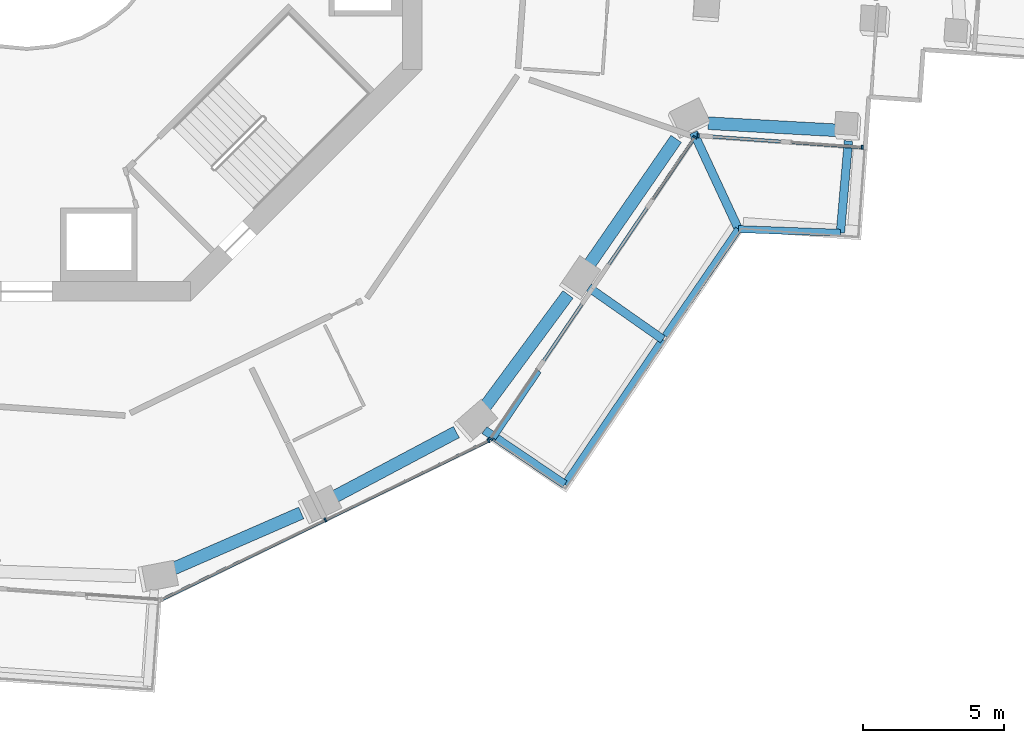
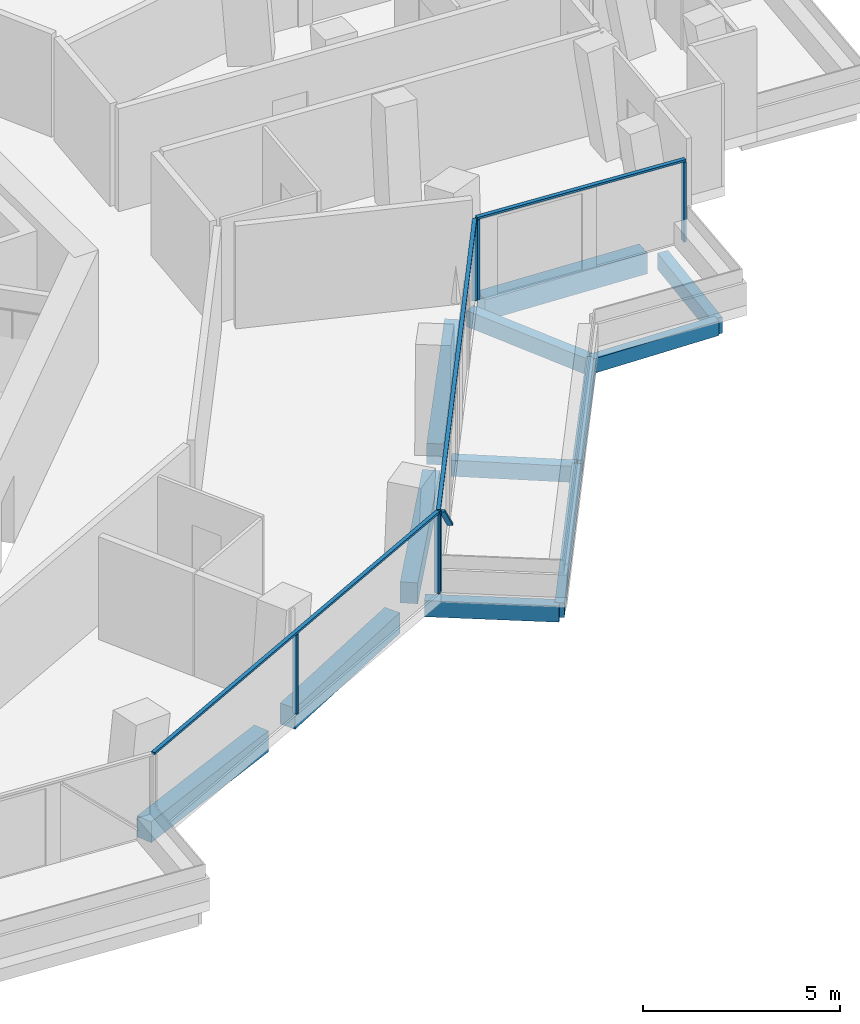
# One storey, part 4 of 22: 12 beams, 10 members, 3 elements without a shape of their own.
"""IFC4 building model written with IfcOpenShell, lengths in metres."""

from ifc_helpers import new_model, si_unit, direction, frame, origin, origin_2d, place, context, subcontext, project, spatial, rectangle, extrude, material, layer, layer_set, material_profile, profile_set, type_object, element, aggregate, save


model = new_model("IFC4")

# Units and contexts
model_context = context("Model", 3, precision=1e-05, world=origin(), true_north=direction((0.0, 1.0)))
body_context = subcontext(model_context, "Body", "Model", "MODEL_VIEW")
ifc_project = project(units=[si_unit("LENGTHUNIT", "METRE"), si_unit("AREAUNIT", "SQUARE_METRE"), si_unit("VOLUMEUNIT", "CUBIC_METRE"), si_unit("PLANEANGLEUNIT", "RADIAN"), si_unit("MASSUNIT", "GRAM", prefix="KILO")], contexts=[model_context])

# Site, building, storey
site_placement = place(None, origin())
site = spatial("IfcSite", under=ifc_project, at=site_placement, CompositionType="ELEMENT")
building_placement = place(site_placement, origin())
building = spatial("IfcBuilding", under=site, at=building_placement, Name="Verdalira Terraces Hotel", CompositionType="ELEMENT")
storey_placement = place(building_placement, frame((0.0, 0.0, 140.0)))
storey = spatial("IfcBuildingStorey", under=building, at=storey_placement, Name="L33", CompositionType="ELEMENT", Elevation=140.0)

# Beams
ifc_material_1 = material(Name="Concrete C40", Category="concrete")
ifc_material_profile_1 = material_profile(ifc_material_1, rectangle(XDim=0.300049, YDim=0.5, at=origin_2d()), Name="RC 300X500")
ifc_profile_set_1 = profile_set([ifc_material_profile_1], Name="Concrete C40")
beam_type_1 = type_object("IfcBeamType", Name="Balcony cantilever beam RC 300X500 C40", PredefinedType="BEAM", material=ifc_profile_set_1)
beam_1_placement = place(storey_placement, frame((16.206543, -18.566162, -0.560059), z_axis=(0.828265933, -0.560335208, 0.0), x_axis=(0.560335208, 0.828265933, 0.0)))
element("IfcBeam", 1, at=beam_1_placement, inside=storey, type_object=beam_type_1, Name="Balcony cantilever beam R27-1", PredefinedType="BEAM", context=body_context, shape_type="SweptSolid", body=[
    extrude(rectangle(XDim=0.300049, YDim=0.5, at=origin_2d()), origin(), (0.0, 0.0, 1.0), 3.431641),
])
beam_2_placement = place(storey_placement, frame((19.902344, -13.516113, -0.560059), z_axis=(0.818722765, -0.574189023, 0.0), x_axis=(0.574189023, 0.818722765, 0.0)))
element("IfcBeam", 2, at=beam_2_placement, inside=storey, type_object=beam_type_1, Name="Balcony cantilever beam R27-2", PredefinedType="BEAM", context=body_context, shape_type="SweptSolid", body=[
    extrude(rectangle(XDim=0.300049, YDim=0.5, at=origin_2d()), origin(), (0.0, 0.0, 1.0), 3.200928),
])
beam_3_placement = place(storey_placement, frame((23.609863, -8.029053, -0.560059), z_axis=(0.421988283, -0.906601285, 0.0), x_axis=(0.906601285, 0.421988283, 0.0)))
element("IfcBeam", 3, at=beam_3_placement, inside=storey, type_object=beam_type_1, Name="Balcony cantilever beam R27-3", PredefinedType="BEAM", context=body_context, shape_type="SweptSolid", body=[
    extrude(rectangle(XDim=0.300049, YDim=0.5, at=origin_2d()), origin(), (0.0, 0.0, 1.0), 3.769775),
])
beam_4_placement = place(storey_placement, frame((29.096436, -8.325684, -0.560059), z_axis=(-0.087832726, -0.996135238, 0.0), x_axis=(0.996135238, -0.087832726, 0.0)))
element("IfcBeam", 4, at=beam_4_placement, inside=storey, type_object=beam_type_1, Name="Balcony cantilever beam R27-4", PredefinedType="BEAM", context=body_context, shape_type="SweptSolid", body=[
    extrude(rectangle(XDim=0.300049, YDim=0.5, at=origin_2d()), origin(), (0.0, 0.0, 1.0), 3.266113),
])
ifc_material_2 = material(Name="Concrete C40", Category="concrete")
ifc_material_profile_2 = material_profile(ifc_material_2, rectangle(XDim=0.25, YDim=0.449951, at=origin_2d()), Name="RC 250X450")
ifc_profile_set_2 = profile_set([ifc_material_profile_2], Name="Concrete C40")
beam_type_2 = type_object("IfcBeamType", Name="Balcony edge beam RC 250X450 C40", PredefinedType="BEAM", material=ifc_profile_set_2)
beam_5_placement = place(storey_placement, frame((19.048828, -20.489014, -0.534912), z_axis=(0.560357836, 0.828250623, 0.0), x_axis=(-0.828250623, 0.560357836, 0.0)))
element("IfcBeam", 5, at=beam_5_placement, inside=storey, type_object=beam_type_2, Name="Balcony edge beam R27-1", PredefinedType="BEAM", context=body_context, shape_type="SweptSolid", body=[
    extrude(rectangle(XDim=0.25, YDim=0.449951, at=origin_2d()), origin(), (0.0, 0.0, 1.0), 6.199707),
])
beam_6_placement = place(storey_placement, frame((22.60791, -15.230225, -0.534912), z_axis=(0.565292481, 0.824890545, 0.0), x_axis=(-0.824890545, 0.565292481, 0.0)))
element("IfcBeam", 6, at=beam_6_placement, inside=storey, type_object=beam_type_2, Name="Balcony edge beam R27-2", PredefinedType="BEAM", context=body_context, shape_type="SweptSolid", body=[
    extrude(rectangle(XDim=0.25, YDim=0.449951, at=origin_2d()), origin(), (0.0, 0.0, 1.0), 4.58667),
])
beam_7_placement = place(storey_placement, frame((25.200684, -11.446777, -0.534912), z_axis=(0.999328471, -0.036641593, 0.0), x_axis=(0.036641593, 0.999328471, 0.0)))
element("IfcBeam", 7, at=beam_7_placement, inside=storey, type_object=beam_type_2, Name="Balcony edge beam R27-3", PredefinedType="BEAM", context=body_context, shape_type="SweptSolid", body=[
    extrude(rectangle(XDim=0.25, YDim=0.449951, at=origin_2d()), origin(), (0.0, 0.0, 1.0), 3.611328),
])

# Curtain wall, members
ifc_material_3 = material(Name="Clear glass", Category="glass")
ifc_layer_1 = layer(ifc_material_3, 0.14990234375)
ifc_layer_set_1 = layer_set([ifc_layer_1], Name="CW1 curtain wall")
curtain_wall_type_1 = type_object("IfcCurtainWallType", Name="CW1 curtain wall", PredefinedType="NOTDEFINED", material=ifc_layer_set_1)
curtain_wall_1_placement = place(storey_placement, origin())
curtain_wall_1 = element("IfcCurtainWall", 8, at=curtain_wall_1_placement, inside=storey, type_object=curtain_wall_type_1, Name="CW1 curtain wall L33 edge 26", PredefinedType="NOTDEFINED")
ifc_material_4 = material(Name="Terracotta frame", Category="masonry")
ifc_material_profile_3 = material_profile(ifc_material_4, rectangle(XDim=0.060059, YDim=0.149902, at=origin_2d()), Name="MU 60x150")
ifc_profile_set_3 = profile_set([ifc_material_profile_3], Name="Terracotta frame")
member_type_1 = type_object("IfcMemberType", Name="CW1 mullion 60x150", PredefinedType="MULLION", material=ifc_profile_set_3)
member_1_placement = place(storey_placement, frame((10.570801, -21.750732, 0.0), z_axis=(0.0, 0.0, 1.0), x_axis=(0.899405252, 0.437115767, 0.0)))
member_1 = element("IfcMember", 9, at=member_1_placement, type_object=member_type_1, Name="CW1 mullion", PredefinedType="MULLION", context=body_context, shape_type="SweptSolid", body=[
    extrude(rectangle(XDim=0.060059, YDim=0.149902, at=origin_2d()), origin(), (0.0, 0.0, 1.0), 2.475098),
])
member_2_placement = place(storey_placement, frame((16.354004, -18.939941, 0.0), z_axis=(0.0, 0.0, 1.0), x_axis=(0.899405252, 0.437115767, 0.0)))
member_2 = element("IfcMember", 10, at=member_2_placement, type_object=member_type_1, Name="CW1 mullion", PredefinedType="MULLION", context=body_context, shape_type="SweptSolid", body=[
    extrude(rectangle(XDim=0.060059, YDim=0.149902, at=origin_2d()), origin(), (0.0, 0.0, 1.0), 2.475098),
])

curtain_wall_2_placement = place(storey_placement, origin())
curtain_wall_2 = element("IfcCurtainWall", 11, at=curtain_wall_2_placement, inside=storey, type_object=curtain_wall_type_1, Name="CW1 curtain wall L33 edge 27", PredefinedType="NOTDEFINED")
member_3_placement = place(storey_placement, frame((16.427002, -18.876709, 0.0), z_axis=(0.0, 0.0, 1.0), x_axis=(0.560349913, 0.828255984, 0.0)))
member_3 = element("IfcMember", 12, at=member_3_placement, type_object=member_type_1, Name="CW1 mullion", PredefinedType="MULLION", context=body_context, shape_type="SweptSolid", body=[
    extrude(rectangle(XDim=0.060059, YDim=0.149902, at=origin_2d()), origin(), (0.0, 0.0, 1.0), 2.475098),
])
member_4_placement = place(storey_placement, frame((23.655518, -8.192383, 0.0), z_axis=(0.0, 0.0, 1.0), x_axis=(0.560349913, 0.828255984, 0.0)))
member_4 = element("IfcMember", 13, at=member_4_placement, type_object=member_type_1, Name="CW1 mullion", PredefinedType="MULLION", context=body_context, shape_type="SweptSolid", body=[
    extrude(rectangle(XDim=0.060059, YDim=0.149902, at=origin_2d()), origin(), (0.0, 0.0, 1.0), 2.475098),
])

# Member
ifc_material_5 = material(Name="Terracotta frame", Category="masonry")
ifc_material_profile_4 = material_profile(ifc_material_5, rectangle(XDim=0.110107, YDim=0.064941, at=origin_2d()), Name="TR 65x110")
ifc_profile_set_4 = profile_set([ifc_material_profile_4], Name="Terracotta frame")
member_type_2 = type_object("IfcMemberType", Name="CW1 transom 65x110", PredefinedType="USERDEFINED", material=ifc_profile_set_4)
member_5_placement = place(storey_placement, frame((4.760986, -24.574219, 2.507568), z_axis=(0.899408407, 0.437109273, 0.0), x_axis=(-0.437109273, 0.899408407, 0.0)))
member_5 = element("IfcMember", 14, at=member_5_placement, type_object=member_type_2, Name="CW1 transom", ObjectType="TRANSOM", PredefinedType="USERDEFINED", context=body_context, shape_type="SweptSolid", body=[
    extrude(rectangle(XDim=0.110107, YDim=0.064941, at=origin_2d()), origin(), (0.0, 0.0, 1.0), 12.919434),
])

aggregate(curtain_wall_1, [member_1, member_2, member_5])

member_6_placement = place(storey_placement, frame((16.410156, -18.901611, 2.507568), z_axis=(0.560356121, 0.828251784, 0.0), x_axis=(-0.828251784, 0.560356121, 0.0)))
member_6 = element("IfcMember", 15, at=member_6_placement, type_object=member_type_2, Name="CW1 transom", ObjectType="TRANSOM", PredefinedType="USERDEFINED", context=body_context, shape_type="SweptSolid", body=[
    extrude(rectangle(XDim=0.110107, YDim=0.064941, at=origin_2d()), origin(), (0.0, 0.0, 1.0), 12.959961),
])

# Curtain wall, members
ifc_material_6 = material(Name="Clear glass", Category="glass")
ifc_layer_2 = layer(ifc_material_6, 0.14990234375)
ifc_layer_set_2 = layer_set([ifc_layer_2], Name="CW2 curtain wall")
curtain_wall_type_2 = type_object("IfcCurtainWallType", Name="CW2 curtain wall", PredefinedType="NOTDEFINED", material=ifc_layer_set_2)
curtain_wall_3_placement = place(storey_placement, origin())
curtain_wall_3 = element("IfcCurtainWall", 16, at=curtain_wall_3_placement, inside=storey, type_object=curtain_wall_type_2, Name="CW2 curtain wall L33 edge 28", PredefinedType="NOTDEFINED")
ifc_material_7 = material(Name="Terracotta frame", Category="masonry")
ifc_material_profile_5 = material_profile(ifc_material_7, rectangle(XDim=0.070068, YDim=0.149902, at=origin_2d()), Name="MU 70x150")
ifc_profile_set_5 = profile_set([ifc_material_profile_5], Name="Terracotta frame")
member_type_3 = type_object("IfcMemberType", Name="CW2 mullion 70x150", PredefinedType="MULLION", material=ifc_profile_set_5)
member_7_placement = place(storey_placement, frame((23.774658, -8.137207, 0.0), z_axis=(0.0, 0.0, 1.0), x_axis=(0.997465679, -0.071149267, 0.0)))
member_7 = element("IfcMember", 17, at=member_7_placement, type_object=member_type_3, Name="CW2 mullion", PredefinedType="MULLION", context=body_context, shape_type="SweptSolid", body=[
    extrude(rectangle(XDim=0.070068, YDim=0.149902, at=origin_2d()), origin(), (0.0, 0.0, 1.0), 2.475098),
])
member_8_placement = place(storey_placement, frame((29.585449, -8.551758, 0.0), z_axis=(0.0, 0.0, 1.0), x_axis=(0.997465679, -0.071149267, 0.0)))
member_8 = element("IfcMember", 18, at=member_8_placement, type_object=member_type_3, Name="CW2 mullion", PredefinedType="MULLION", context=body_context, shape_type="SweptSolid", body=[
    extrude(rectangle(XDim=0.070068, YDim=0.149902, at=origin_2d()), origin(), (0.0, 0.0, 1.0), 2.475098),
])
ifc_material_8 = material(Name="Terracotta frame", Category="masonry")
ifc_material_profile_6 = material_profile(ifc_material_8, rectangle(XDim=0.11499, YDim=0.064941, at=origin_2d()), Name="TR 65x115")
ifc_profile_set_6 = profile_set([ifc_material_profile_6], Name="Terracotta frame")
member_type_4 = type_object("IfcMemberType", Name="CW2 transom 65x115", PredefinedType="USERDEFINED", material=ifc_profile_set_6)
member_9_placement = place(storey_placement, frame((23.739746, -8.134766, 2.507568), z_axis=(0.997466052, -0.071144048, 0.0), x_axis=(0.071144048, 0.997466052, 0.0)))
member_9 = element("IfcMember", 19, at=member_9_placement, type_object=member_type_4, Name="CW2 transom", ObjectType="TRANSOM", PredefinedType="USERDEFINED", context=body_context, shape_type="SweptSolid", body=[
    extrude(rectangle(XDim=0.11499, YDim=0.064941, at=origin_2d()), origin(), (0.0, 0.0, 1.0), 5.895508),
])
aggregate(curtain_wall_3, [member_7, member_8, member_9])

# Member
ifc_material_9 = material(Name="Terracotta frame", Category="masonry")
ifc_material_profile_7 = material_profile(ifc_material_9, rectangle(XDim=0.149902, YDim=0.060059, at=origin_2d()), Name="GB 60x150")
ifc_profile_set_7 = profile_set([ifc_material_profile_7], Name="Terracotta frame")
member_type_5 = type_object("IfcMemberType", Name="Diagonal glazing bar 60x150", PredefinedType="USERDEFINED", material=ifc_profile_set_7)
member_10_placement = place(storey_placement, frame((16.533691, -18.87793, 2.450928), z_axis=(0.42771011, 0.632238861, -0.646017093), x_axis=(-0.828271791, 0.560326548, 0.0)))
member_10 = element("IfcMember", 20, at=member_10_placement, type_object=member_type_5, Name="Diagonal glazing bar", ObjectType="GLAZING BAR", PredefinedType="USERDEFINED", context=body_context, shape_type="SweptSolid", body=[
    extrude(rectangle(XDim=0.149902, YDim=0.060059, at=origin_2d()), origin(), (0.0, 0.0, 1.0), 3.756592),
])

aggregate(curtain_wall_2, [member_3, member_4, member_6, member_10])

# Beams
ifc_material_10 = material(Name="Concrete C50", Category="concrete")
ifc_material_profile_8 = material_profile(ifc_material_10, rectangle(XDim=0.449951, YDim=0.649902, at=origin_2d()), Name="RC 450X650")
ifc_profile_set_8 = profile_set([ifc_material_profile_8], Name="Concrete C50")
beam_type_3 = type_object("IfcBeamType", Name="Spandrel beam RC 450X650 C50", PredefinedType="SPANDREL", material=ifc_profile_set_8)
beam_8_placement = place(storey_placement, frame((5.120117, -23.502441, -0.63501), z_axis=(0.916692764, 0.399592762, 0.0), x_axis=(-0.399592762, 0.916692764, 0.0)))
element("IfcBeam", 21, at=beam_8_placement, inside=storey, type_object=beam_type_3, Name="Spandrel beam B11", PredefinedType="SPANDREL", context=body_context, shape_type="SweptSolid", body=[
    extrude(rectangle(XDim=0.449951, YDim=0.649902, at=origin_2d()), origin(), (0.0, 0.0, 1.0), 5.015381),
])
beam_9_placement = place(storey_placement, frame((10.782715, -20.984375, -0.63501), z_axis=(0.883423916, 0.468574631, 0.0), x_axis=(-0.468574631, 0.883423916, 0.0)))
element("IfcBeam", 22, at=beam_9_placement, inside=storey, type_object=beam_type_3, Name="Spandrel beam B12", PredefinedType="SPANDREL", context=body_context, shape_type="SweptSolid", body=[
    extrude(rectangle(XDim=0.449951, YDim=0.649902, at=origin_2d()), origin(), (0.0, 0.0, 1.0), 5.012207),
])
beam_10_placement = place(storey_placement, frame((16.185303, -17.793701, -0.63501), z_axis=(0.594072105, 0.804411794, 0.0), x_axis=(-0.804411794, 0.594072105, 0.0)))
element("IfcBeam", 23, at=beam_10_placement, inside=storey, type_object=beam_type_3, Name="Spandrel beam B13", PredefinedType="SPANDREL", context=body_context, shape_type="SweptSolid", body=[
    extrude(rectangle(XDim=0.449951, YDim=0.649902, at=origin_2d()), origin(), (0.0, 0.0, 1.0), 5.015381),
])
beam_11_placement = place(storey_placement, frame((19.841797, -12.812744, -0.63501), z_axis=(0.568864207, 0.822431465, 0.0), x_axis=(-0.822431465, 0.568864207, 0.0)))
element("IfcBeam", 24, at=beam_11_placement, inside=storey, type_object=beam_type_3, Name="Spandrel beam B14", PredefinedType="SPANDREL", context=body_context, shape_type="SweptSolid", body=[
    extrude(rectangle(XDim=0.449951, YDim=0.649902, at=origin_2d()), origin(), (0.0, 0.0, 1.0), 5.544922),
])
beam_12_placement = place(storey_placement, frame((24.125977, -7.697266, -0.63501), z_axis=(0.998472668, -0.055247906, 0.0), x_axis=(0.055247906, 0.998472668, 0.0)))
element("IfcBeam", 25, at=beam_12_placement, inside=storey, type_object=beam_type_3, Name="Spandrel beam B15", PredefinedType="SPANDREL", context=body_context, shape_type="SweptSolid", body=[
    extrude(rectangle(XDim=0.449951, YDim=0.649902, at=origin_2d()), origin(), (0.0, 0.0, 1.0), 4.626709),
])

save(model, "model.ifc")
